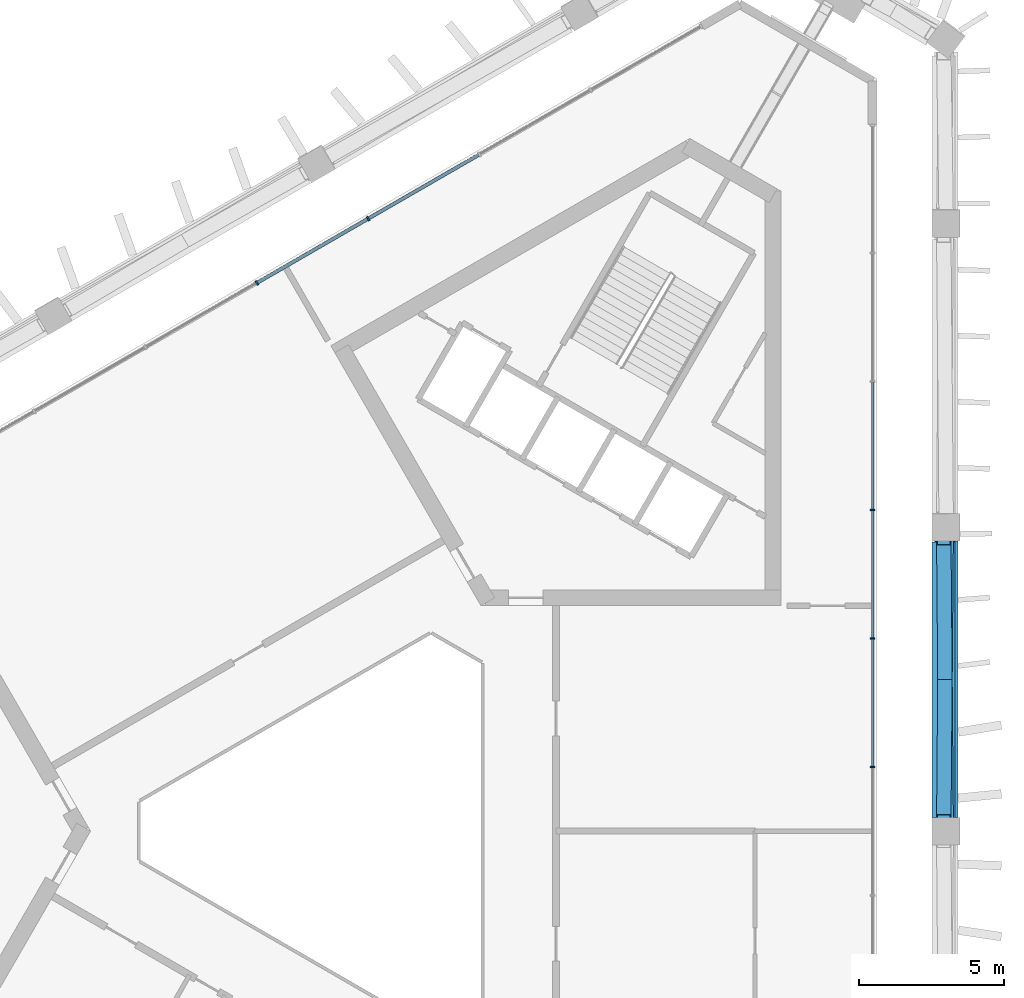
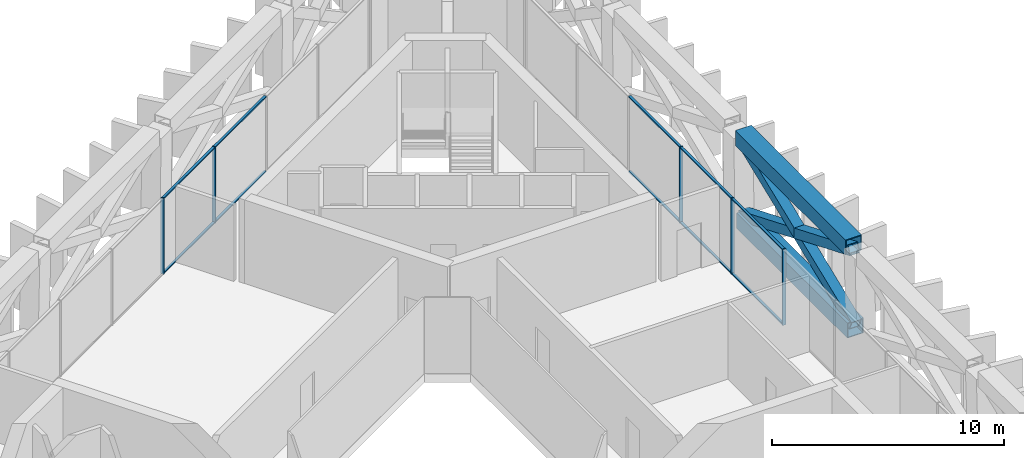
# One storey, part 7 of 15: 19 members, 2 elements without a shape of their own.
"""IFC4 building model written with IfcOpenShell, lengths in metres."""

from ifc_helpers import new_model, si_unit, direction, frame, origin, origin_2d, place, context, subcontext, project, spatial, rectangle, hollow_rectangle, extrude, material, layer, layer_set, material_profile, profile_set, type_object, element, aggregate, save


model = new_model("IFC4")

# Units and contexts
model_context = context("Model", 3, precision=1e-05, world=origin(), true_north=direction((0.0, 1.0)))
body_context = subcontext(model_context, "Body", "Model", "MODEL_VIEW")
ifc_project = project(units=[si_unit("LENGTHUNIT", "METRE"), si_unit("AREAUNIT", "SQUARE_METRE"), si_unit("VOLUMEUNIT", "CUBIC_METRE"), si_unit("PLANEANGLEUNIT", "RADIAN"), si_unit("MASSUNIT", "GRAM", prefix="KILO")], contexts=[model_context])

# Site, building, storey
site_placement = place(None, origin())
site = spatial("IfcSite", under=ifc_project, at=site_placement, CompositionType="ELEMENT")
building_placement = place(site_placement, origin())
building = spatial("IfcBuilding", under=site, at=building_placement, Name="Jabali Bay Hotel Tower and Convention Centre", CompositionType="ELEMENT")
storey_placement = place(building_placement, frame((0.0, 0.0, 201.39990234375)))
storey = spatial("IfcBuildingStorey", under=building, at=storey_placement, Name="L49", CompositionType="ELEMENT", Elevation=201.39990234375)

# Members
ifc_material_1 = material(Name="Steel Q420GJC", Category="steel")
ifc_material_profile_1 = material_profile(ifc_material_1, hollow_rectangle(XDim=0.5, YDim=0.5, WallThickness=0.030029296875, at=origin_2d()), Name="Belt brace 500x500x30")
ifc_profile_set_1 = profile_set([ifc_material_profile_1], Name="Steel Q420GJC")
member_type_1 = type_object("IfcMemberType", Name="Belt brace 500x500x30", PredefinedType="BRACE", material=ifc_profile_set_1)
member_1_placement = place(storey_placement, frame((95.585693359375, 80.47509765625, 0.19970703125), z_axis=(-0.007828722091, 0.921802461556, 0.387580872826), x_axis=(-0.999963937773, -0.008492535111, 0.0)))
element("IfcMember", 1, at=member_1_placement, inside=storey, type_object=member_type_1, Name="Belt brace T4 F0.3-F0.4 x1", PredefinedType="BRACE", context=body_context, shape_type="SweptSolid", body=[
    extrude(hollow_rectangle(XDim=0.5, YDim=0.5, WallThickness=0.030029296875, at=origin_2d()), origin(), (0.0, 0.0, 1.0), 10.322265625),
])
member_2_placement = place(storey_placement, frame((95.585693359375, 90.037109375, 0.198974609375), z_axis=(-0.00779565021, -0.922430320671, 0.38608487583), x_axis=(0.999964290457, -0.008450905891, 0.0)))
element("IfcMember", 2, at=member_2_placement, inside=storey, type_object=member_type_1, Name="Belt brace T4 F0.3-F0.4 x2", PredefinedType="BRACE", context=body_context, shape_type="SweptSolid", body=[
    extrude(hollow_rectangle(XDim=0.5, YDim=0.5, WallThickness=0.030029296875, at=origin_2d()), origin(), (0.0, 0.0, 1.0), 10.3662109375),
])
ifc_material_profile_2 = material_profile(ifc_material_1, hollow_rectangle(XDim=0.800048828125, YDim=0.800048828125, WallThickness=0.0400390625, at=origin_2d()), Name="Belt chord 800x800x40")
ifc_profile_set_2 = profile_set([ifc_material_profile_2], Name="Steel Q420GJC")
member_type_2 = type_object("IfcMemberType", Name="Belt chord 800x800x40", PredefinedType="CHORD", material=ifc_profile_set_2)
member_3_placement = place(storey_placement, frame((95.589599609375, 80.47509765625, 0.0), z_axis=(0.0, 1.0, 0.0), x_axis=(-1.0, 0.0, 0.0)))
element("IfcMember", 3, at=member_3_placement, inside=storey, type_object=member_type_2, Name="Belt chord T4 F0.3-F0.4", PredefinedType="CHORD", context=body_context, shape_type="SweptSolid", body=[
    extrude(hollow_rectangle(XDim=0.800048828125, YDim=0.800048828125, WallThickness=0.0400390625, at=origin_2d()), origin(), (0.0, 0.0, 1.0), 9.56201171875),
])
member_4_placement = place(storey_placement, frame((95.500732421875, 80.47509765625, 4.400146484375), z_axis=(0.0, 1.0, 0.0), x_axis=(-1.0, 0.0, 0.0)))
element("IfcMember", 4, at=member_4_placement, inside=storey, type_object=member_type_2, Name="Belt chord T4 F0.3-F0.4", PredefinedType="CHORD", context=body_context, shape_type="SweptSolid", body=[
    extrude(hollow_rectangle(XDim=0.800048828125, YDim=0.800048828125, WallThickness=0.0400390625, at=origin_2d()), origin(), (0.0, 0.0, 1.0), 9.51513671875),
])

# Curtain wall, members
ifc_material_2 = material(Name="Aluminium and glass", Category="aluminium")
ifc_layer = layer(ifc_material_2, 0.159912109375)
ifc_layer_set = layer_set([ifc_layer], Name="Aluminium and glass")
curtain_wall_type = type_object("IfcCurtainWallType", Name="CW3 curtain wall", PredefinedType="NOTDEFINED", material=ifc_layer_set)
curtain_wall_1_placement = place(storey_placement, origin())
curtain_wall_1 = element("IfcCurtainWall", 5, at=curtain_wall_1_placement, inside=storey, type_object=curtain_wall_type, Name="CW3 curtain wall east face L49", PredefinedType="NOTDEFINED")
ifc_material_3 = material(Name="Aluminium", Category="aluminium")
ifc_material_profile_3 = material_profile(ifc_material_3, rectangle(XDim=0.159912109375, YDim=0.06005859375, at=origin_2d()), Name="CW3 mullion 60 x 160")
ifc_profile_set_3 = profile_set([ifc_material_profile_3], Name="Aluminium")
member_type_3 = type_object("IfcMemberType", Name="CW3 mullion 60 x 160", PredefinedType="MULLION", material=ifc_profile_set_3)
member_5_placement = place(storey_placement, frame((93.03955078125, 91.1083984375, 0.0), z_axis=(0.0, 0.0, 1.0), x_axis=(1.0, 0.0, 0.0)))
member_5 = element("IfcMember", 6, at=member_5_placement, type_object=member_type_3, Name="CW3 mullion 4", PredefinedType="MULLION", context=body_context, shape_type="SweptSolid", body=[
    extrude(rectangle(XDim=0.159912109375, YDim=0.06005859375, at=origin_2d()), origin(), (0.0, 0.0, 1.0), 4.0),
])
member_6_placement = place(storey_placement, frame((93.03955078125, 86.6650390625, 0.0), z_axis=(0.0, 0.0, 1.0), x_axis=(1.0, 0.0, 0.0)))
member_6 = element("IfcMember", 7, at=member_6_placement, type_object=member_type_3, Name="CW3 mullion 5", PredefinedType="MULLION", context=body_context, shape_type="SweptSolid", body=[
    extrude(rectangle(XDim=0.159912109375, YDim=0.06005859375, at=origin_2d()), origin(), (0.0, 0.0, 1.0), 4.0),
])
member_7_placement = place(storey_placement, frame((93.03955078125, 82.2216796875, 0.0), z_axis=(0.0, 0.0, 1.0), x_axis=(1.0, 0.0, 0.0)))
member_7 = element("IfcMember", 8, at=member_7_placement, type_object=member_type_3, Name="CW3 mullion 6", PredefinedType="MULLION", context=body_context, shape_type="SweptSolid", body=[
    extrude(rectangle(XDim=0.159912109375, YDim=0.06005859375, at=origin_2d()), origin(), (0.0, 0.0, 1.0), 4.0),
])

curtain_wall_2_placement = place(storey_placement, origin())
curtain_wall_2 = element("IfcCurtainWall", 9, at=curtain_wall_2_placement, inside=storey, type_object=curtain_wall_type, Name="CW3 curtain wall north-west face L49", PredefinedType="NOTDEFINED")
member_8_placement = place(storey_placement, frame((71.752197265625, 98.955322265625, 0.0), z_axis=(0.0, 0.0, 1.0), x_axis=(-0.500000002025, 0.866025402615, 0.0)))
member_8 = element("IfcMember", 10, at=member_8_placement, type_object=member_type_3, Name="CW3 mullion 8", PredefinedType="MULLION", context=body_context, shape_type="SweptSolid", body=[
    extrude(rectangle(XDim=0.159912109375, YDim=0.06005859375, at=origin_2d()), origin(), (0.0, 0.0, 1.0), 4.0),
])
member_9_placement = place(storey_placement, frame((75.600341796875, 101.177001953125, 0.0), z_axis=(0.0, 0.0, 1.0), x_axis=(-0.500000002025, 0.866025402615, 0.0)))
member_9 = element("IfcMember", 11, at=member_9_placement, type_object=member_type_3, Name="CW3 mullion 9", PredefinedType="MULLION", context=body_context, shape_type="SweptSolid", body=[
    extrude(rectangle(XDim=0.159912109375, YDim=0.06005859375, at=origin_2d()), origin(), (0.0, 0.0, 1.0), 4.0),
])

# Member
ifc_material_profile_4 = material_profile(ifc_material_3, rectangle(XDim=0.1201171875, YDim=0.06005859375, at=origin_2d()), Name="CW3 transom 60 x 120")
ifc_profile_set_4 = profile_set([ifc_material_profile_4], Name="Aluminium")
member_type_4 = type_object("IfcMemberType", Name="CW3 transom 60 x 120", PredefinedType="USERDEFINED", material=ifc_profile_set_4)
member_10_placement = place(storey_placement, frame((93.03955078125, 95.521728515625, 0.030029296875), z_axis=(0.0, -1.0, 0.0), x_axis=(1.0, 0.0, 0.0)))
member_10 = element("IfcMember", 12, at=member_10_placement, type_object=member_type_4, Name="CW3 transom 3.1", ObjectType="TRANSOM", PredefinedType="USERDEFINED", context=body_context, shape_type="SweptSolid", body=[
    extrude(rectangle(XDim=0.1201171875, YDim=0.06005859375, at=origin_2d()), origin(), (0.0, 0.0, 1.0), 4.383544921875),
])

member_11_placement = place(storey_placement, frame((93.03955078125, 95.521728515625, 3.97021484375), z_axis=(0.0, -1.0, 0.0), x_axis=(1.0, 0.0, 0.0)))
member_11 = element("IfcMember", 13, at=member_11_placement, type_object=member_type_4, Name="CW3 transom 3.2", ObjectType="TRANSOM", PredefinedType="USERDEFINED", context=body_context, shape_type="SweptSolid", body=[
    extrude(rectangle(XDim=0.1201171875, YDim=0.06005859375, at=origin_2d()), origin(), (0.0, 0.0, 1.0), 4.383544921875),
])

member_12_placement = place(storey_placement, frame((93.03955078125, 91.078369140625, 0.030029296875), z_axis=(0.0, -1.0, 0.0), x_axis=(1.0, 0.0, 0.0)))
member_12 = element("IfcMember", 14, at=member_12_placement, type_object=member_type_4, Name="CW3 transom 4.1", ObjectType="TRANSOM", PredefinedType="USERDEFINED", context=body_context, shape_type="SweptSolid", body=[
    extrude(rectangle(XDim=0.1201171875, YDim=0.06005859375, at=origin_2d()), origin(), (0.0, 0.0, 1.0), 4.38330078125),
])

member_13_placement = place(storey_placement, frame((93.03955078125, 91.078369140625, 3.97021484375), z_axis=(0.0, -1.0, 0.0), x_axis=(1.0, 0.0, 0.0)))
member_13 = element("IfcMember", 15, at=member_13_placement, type_object=member_type_4, Name="CW3 transom 4.2", ObjectType="TRANSOM", PredefinedType="USERDEFINED", context=body_context, shape_type="SweptSolid", body=[
    extrude(rectangle(XDim=0.1201171875, YDim=0.06005859375, at=origin_2d()), origin(), (0.0, 0.0, 1.0), 4.38330078125),
])

member_14_placement = place(storey_placement, frame((93.03955078125, 86.635009765625, 0.030029296875), z_axis=(0.0, -1.0, 0.0), x_axis=(1.0, 0.0, 0.0)))
member_14 = element("IfcMember", 16, at=member_14_placement, type_object=member_type_4, Name="CW3 transom 5.1", ObjectType="TRANSOM", PredefinedType="USERDEFINED", context=body_context, shape_type="SweptSolid", body=[
    extrude(rectangle(XDim=0.1201171875, YDim=0.06005859375, at=origin_2d()), origin(), (0.0, 0.0, 1.0), 4.38330078125),
])

member_15_placement = place(storey_placement, frame((93.03955078125, 86.635009765625, 3.97021484375), z_axis=(0.0, -1.0, 0.0), x_axis=(1.0, 0.0, 0.0)))
member_15 = element("IfcMember", 17, at=member_15_placement, type_object=member_type_4, Name="CW3 transom 5.2", ObjectType="TRANSOM", PredefinedType="USERDEFINED", context=body_context, shape_type="SweptSolid", body=[
    extrude(rectangle(XDim=0.1201171875, YDim=0.06005859375, at=origin_2d()), origin(), (0.0, 0.0, 1.0), 4.38330078125),
])

aggregate(curtain_wall_1, [member_5, member_6, member_7, member_10, member_11, member_12, member_13, member_14, member_15])

member_16_placement = place(storey_placement, frame((71.7783203125, 98.97021484375, 0.030029296875), z_axis=(0.866016768837, 0.500014955869, 0.0), x_axis=(-0.500014955869, 0.866016768837, 0.0)))
member_16 = element("IfcMember", 18, at=member_16_placement, type_object=member_type_4, Name="CW3 transom 8.1", ObjectType="TRANSOM", PredefinedType="USERDEFINED", context=body_context, shape_type="SweptSolid", body=[
    extrude(rectangle(XDim=0.1201171875, YDim=0.06005859375, at=origin_2d()), origin(), (0.0, 0.0, 1.0), 4.383056640625),
])

member_17_placement = place(storey_placement, frame((71.7783203125, 98.97021484375, 3.97021484375), z_axis=(0.866016768837, 0.500014955869, 0.0), x_axis=(-0.500014955869, 0.866016768837, 0.0)))
member_17 = element("IfcMember", 19, at=member_17_placement, type_object=member_type_4, Name="CW3 transom 8.2", ObjectType="TRANSOM", PredefinedType="USERDEFINED", context=body_context, shape_type="SweptSolid", body=[
    extrude(rectangle(XDim=0.1201171875, YDim=0.06005859375, at=origin_2d()), origin(), (0.0, 0.0, 1.0), 4.383056640625),
])

member_18_placement = place(storey_placement, frame((75.626220703125, 101.19189453125, 0.030029296875), z_axis=(0.866030693553, 0.49999083774, 0.0), x_axis=(-0.49999083774, 0.866030693553, 0.0)))
member_18 = element("IfcMember", 20, at=member_18_placement, type_object=member_type_4, Name="CW3 transom 9.1", ObjectType="TRANSOM", PredefinedType="USERDEFINED", context=body_context, shape_type="SweptSolid", body=[
    extrude(rectangle(XDim=0.1201171875, YDim=0.06005859375, at=origin_2d()), origin(), (0.0, 0.0, 1.0), 4.38330078125),
])

member_19_placement = place(storey_placement, frame((75.626220703125, 101.19189453125, 3.97021484375), z_axis=(0.866030693553, 0.49999083774, 0.0), x_axis=(-0.49999083774, 0.866030693553, 0.0)))
member_19 = element("IfcMember", 21, at=member_19_placement, type_object=member_type_4, Name="CW3 transom 9.2", ObjectType="TRANSOM", PredefinedType="USERDEFINED", context=body_context, shape_type="SweptSolid", body=[
    extrude(rectangle(XDim=0.1201171875, YDim=0.06005859375, at=origin_2d()), origin(), (0.0, 0.0, 1.0), 4.38330078125),
])

aggregate(curtain_wall_2, [member_8, member_9, member_16, member_17, member_18, member_19])

save(model, "model.ifc")
